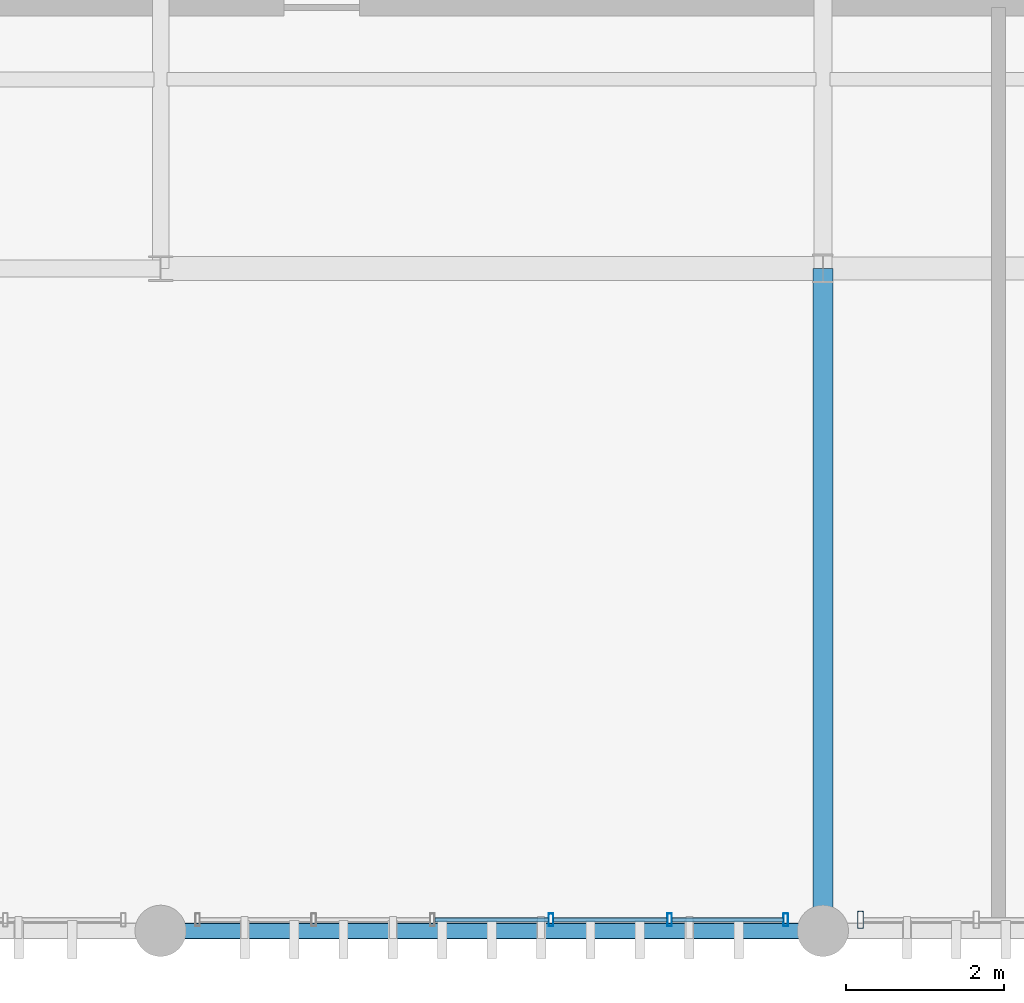
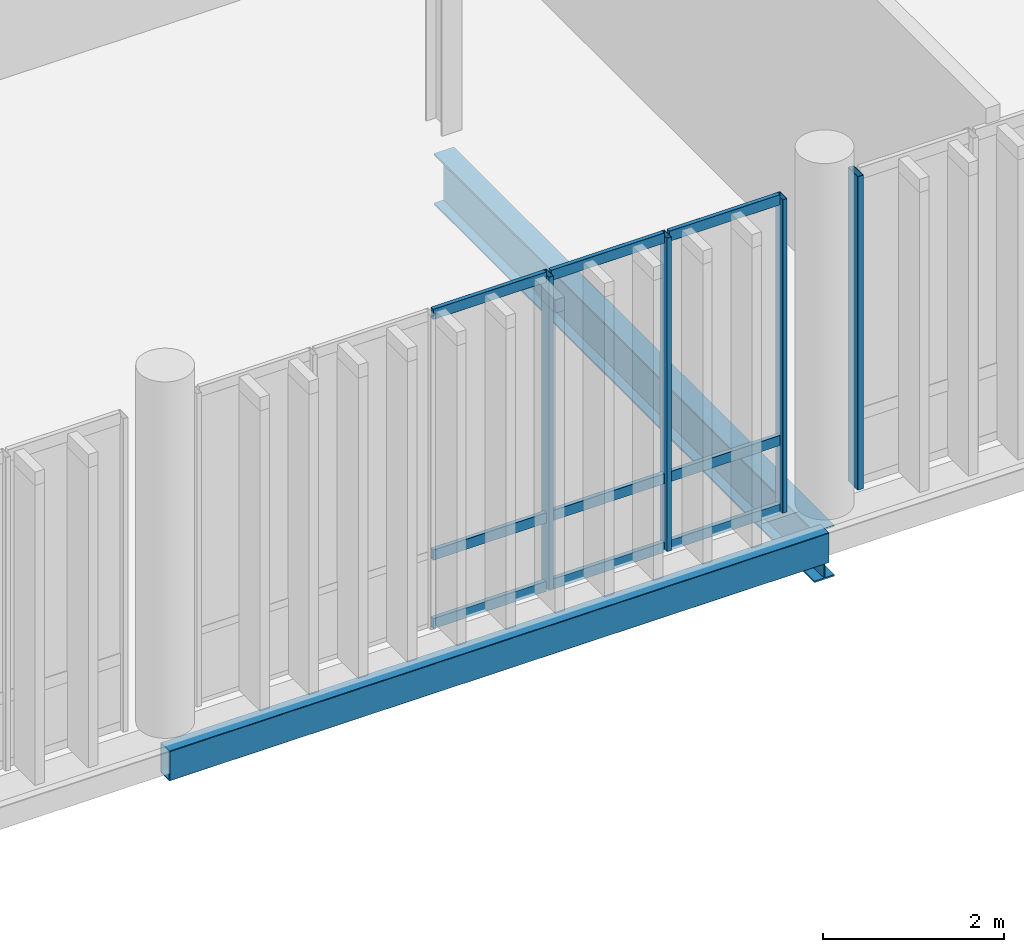
# One storey, part 8 of 86: 13 members, 2 beams, 2 elements without a shape of their own.
"""IFC4 building model written with IfcOpenShell, lengths in metres."""

from ifc_helpers import new_model, si_unit, direction, frame, origin_with_axes, origin_2d_with_axis, place, context, subcontext, project, spatial, hollow_rectangle, i_section, extrude, material, material_profile, profile_set, type_object, element, aggregate, save


model = new_model("IFC4")

# Units and contexts
model_context = context("Model", 3, precision=1e-05, world=origin_with_axes(), true_north=direction((0.0, 1.0)))
body_context = subcontext(model_context, "Body", "Model", "MODEL_VIEW")
ifc_project = project(units=[si_unit("LENGTHUNIT", "METRE"), si_unit("AREAUNIT", "SQUARE_METRE"), si_unit("VOLUMEUNIT", "CUBIC_METRE"), si_unit("PLANEANGLEUNIT", "RADIAN"), si_unit("MASSUNIT", "GRAM", prefix="KILO"), si_unit("THERMODYNAMICTEMPERATUREUNIT", "KELVIN")], contexts=[model_context])

# Site, building, storey
site_placement = place(None, origin_with_axes())
site = spatial("IfcSite", under=ifc_project, at=site_placement, CompositionType="ELEMENT")
building_placement = place(site_placement, origin_with_axes())
building = spatial("IfcBuilding", under=site, at=building_placement, Name="Montbau Bow Law Courts", CompositionType="ELEMENT")
storey_placement = place(building_placement, frame((0.0, 0.0, 29.7), z_axis=(0.0, 0.0, 1.0), x_axis=(1.0, 0.0, 0.0)))
storey = spatial("IfcBuildingStorey", under=building, at=storey_placement, Name="L06", CompositionType="ELEMENT", Elevation=29.7)

# Beams
ifc_material_1 = material(Name="Steel CSA G40.21 Grade 350W (350 MPa)", Category="steel")
ifc_material_profile_1 = material_profile(ifc_material_1, i_section(OverallWidth=0.254, OverallDepth=0.688, WebThickness=0.0131, FlangeThickness=0.0211, at=origin_2d_with_axis()), Name="W690X152", Category="Main", Priority=0)
ifc_profile_set_1 = profile_set([ifc_material_profile_1], Name="Steel CSA G40.21 Grade 350W (350 MPa)")
beam_type_1 = type_object("IfcBeamType", Name="B-FLR-04", PredefinedType="BEAM", material=ifc_profile_set_1)
beam_1_placement = place(None, frame((22.2, 30.6, 29.016), z_axis=(0.0, 1.0, 0.0), x_axis=(-1.0, 0.0, 0.0)))
element("IfcBeam", 1, at=beam_1_placement, inside=storey, type_object=beam_type_1, Name="BM-L06-S0698:bm2_0701", PredefinedType="BEAM", context=body_context, shape_type="SweptSolid", body=[
    extrude(i_section(OverallWidth=0.254, OverallDepth=0.688, WebThickness=0.0131, FlangeThickness=0.0211, at=origin_2d_with_axis()), origin_with_axes(), (0.0, 0.0, 1.0), 8.4),
])
ifc_material_2 = material(Name="Steel CSA G40.21 Grade 350WT (350 MPa)", Category="steel")
ifc_material_profile_2 = material_profile(ifc_material_2, hollow_rectangle(XDim=0.203, YDim=0.406, WallThickness=0.0127, InnerFilletRadius=0.0254, OuterFilletRadius=0.0127, at=origin_2d_with_axis()), Name="HSS406X203X13", Category="Main", Priority=0)
ifc_profile_set_2 = profile_set([ifc_material_profile_2], Name="Steel CSA G40.21 Grade 350WT (350 MPa)")
beam_type_2 = type_object("IfcBeamType", Name="B-SPN-01", PredefinedType="SPANDREL", material=ifc_profile_set_2)
beam_2_placement = place(None, frame((13.8, 30.6, 29.157), z_axis=(1.0, 0.0, 0.0), x_axis=(0.0, 1.0, 0.0)))
element("IfcBeam", 2, at=beam_2_placement, inside=storey, type_object=beam_type_2, Name="SPN-L06-S0667:bm2_0670", PredefinedType="SPANDREL", context=body_context, shape_type="SweptSolid", body=[
    extrude(hollow_rectangle(XDim=0.203, YDim=0.406, WallThickness=0.0127, InnerFilletRadius=0.0254, OuterFilletRadius=0.0127, at=origin_2d_with_axis()), origin_with_axes(), (0.0, 0.0, 1.0), 8.4),
])

# Curtain wall, member
ifc_material_3 = material(Name="Thermally Broken Extruded Aluminium AA 6063-T6", Category="aluminium")
curtain_wall_type = type_object("IfcCurtainWallType", Name="CW-TRC-02", PredefinedType="NOTDEFINED", material=ifc_material_3)
curtain_wall_1_placement = place(None, frame((22.64, 30.74, 29.7), z_axis=(0.0, 0.0, 1.0), x_axis=(1.0, 0.0, 0.0)))
curtain_wall_1 = element("IfcCurtainWall", 3, at=curtain_wall_1_placement, inside=storey, type_object=curtain_wall_type, Name="CW-L06-096:cw_0096", PredefinedType="NOTDEFINED")
ifc_material_profile_3 = material_profile(ifc_material_3, hollow_rectangle(XDim=0.075, YDim=0.22, WallThickness=0.005, InnerFilletRadius=0.01, OuterFilletRadius=0.005, at=origin_2d_with_axis()), Name="CWM-220X75", Category="Main", Priority=0)
ifc_profile_set_3 = profile_set([ifc_material_profile_3], Name="Thermally Broken Extruded Aluminium AA 6063-T6")
member_type_1 = type_object("IfcMemberType", Name="M-MUL-01", PredefinedType="MULLION", material=ifc_profile_set_3)
member_1_placement = place(None, frame((22.677, 30.74, 29.7), z_axis=(0.0, 0.0, 1.0), x_axis=(1.0, 0.0, 0.0)))
member_1 = element("IfcMember", 4, at=member_1_placement, type_object=member_type_1, Name="CW-L06-096-M01:cw_0096_M01", PredefinedType="MULLION", context=body_context, shape_type="SweptSolid", body=[
    extrude(hollow_rectangle(XDim=0.075, YDim=0.22, WallThickness=0.005, InnerFilletRadius=0.01, OuterFilletRadius=0.005, at=origin_2d_with_axis()), origin_with_axes(), (0.0, 0.0, 1.0), 4.22),
])
aggregate(curtain_wall_1, [member_1])

# Curtain wall, members
curtain_wall_2_placement = place(None, frame((14.24, 30.74, 29.7), z_axis=(0.0, 0.0, 1.0), x_axis=(1.0, 0.0, 0.0)))
curtain_wall_2 = element("IfcCurtainWall", 5, at=curtain_wall_2_placement, inside=storey, type_object=curtain_wall_type, Name="CW-L06-095:cw_0095", PredefinedType="NOTDEFINED")
ifc_material_profile_4 = material_profile(ifc_material_3, hollow_rectangle(XDim=0.06, YDim=0.16, WallThickness=0.004, InnerFilletRadius=0.008, OuterFilletRadius=0.004, at=origin_2d_with_axis()), Name="CWM-160X60", Category="Main", Priority=0)
ifc_profile_set_4 = profile_set([ifc_material_profile_4], Name="Thermally Broken Extruded Aluminium AA 6063-T6")
member_type_2 = type_object("IfcMemberType", Name="M-MUL-03", PredefinedType="MULLION", material=ifc_profile_set_4)
member_2_placement = place(None, frame((18.752, 30.74, 29.7), z_axis=(0.0, 0.0, 1.0), x_axis=(1.0, 0.0, 0.0)))
member_2 = element("IfcMember", 6, at=member_2_placement, type_object=member_type_2, Name="CW-L06-095-M04:cw_0095_M04", PredefinedType="MULLION", context=body_context, shape_type="SweptSolid", body=[
    extrude(hollow_rectangle(XDim=0.06, YDim=0.16, WallThickness=0.004, InnerFilletRadius=0.008, OuterFilletRadius=0.004, at=origin_2d_with_axis()), origin_with_axes(), (0.0, 0.0, 1.0), 4.22),
])
member_3_placement = place(None, frame((20.256, 30.74, 29.7), z_axis=(0.0, 0.0, 1.0), x_axis=(1.0, 0.0, 0.0)))
member_3 = element("IfcMember", 7, at=member_3_placement, type_object=member_type_2, Name="CW-L06-095-M05:cw_0095_M05", PredefinedType="MULLION", context=body_context, shape_type="SweptSolid", body=[
    extrude(hollow_rectangle(XDim=0.06, YDim=0.16, WallThickness=0.004, InnerFilletRadius=0.008, OuterFilletRadius=0.004, at=origin_2d_with_axis()), origin_with_axes(), (0.0, 0.0, 1.0), 4.22),
])
member_4_placement = place(None, frame((21.73, 30.74, 29.7), z_axis=(0.0, 0.0, 1.0), x_axis=(1.0, 0.0, 0.0)))
member_4 = element("IfcMember", 8, at=member_4_placement, type_object=member_type_2, Name="CW-L06-095-M06:cw_0095_M06", PredefinedType="MULLION", context=body_context, shape_type="SweptSolid", body=[
    extrude(hollow_rectangle(XDim=0.06, YDim=0.16, WallThickness=0.004, InnerFilletRadius=0.008, OuterFilletRadius=0.004, at=origin_2d_with_axis()), origin_with_axes(), (0.0, 0.0, 1.0), 4.22),
])
ifc_material_profile_5 = material_profile(ifc_material_3, hollow_rectangle(XDim=0.055, YDim=0.14, WallThickness=0.004, InnerFilletRadius=0.008, OuterFilletRadius=0.004, at=origin_2d_with_axis()), Name="CWT-140X55", Category="Main", Priority=0)
ifc_profile_set_5 = profile_set([ifc_material_profile_5], Name="Thermally Broken Extruded Aluminium AA 6063-T6")
member_type_3 = type_object("IfcMemberType", Name="M-TRN-02", PredefinedType="USERDEFINED", material=ifc_profile_set_5)
member_5_placement = place(None, frame((17.28, 30.74, 29.727), z_axis=(1.0, 0.0, 0.0), x_axis=(0.0, 1.0, 0.0)))
member_5 = element("IfcMember", 9, at=member_5_placement, type_object=member_type_3, Name="CW-L06-095-T03-1:cw_0095_T03_1", ObjectType="TRANSOM", PredefinedType="USERDEFINED", context=body_context, shape_type="SweptSolid", body=[
    extrude(hollow_rectangle(XDim=0.055, YDim=0.14, WallThickness=0.004, InnerFilletRadius=0.008, OuterFilletRadius=0.004, at=origin_2d_with_axis()), origin_with_axes(), (0.0, 0.0, 1.0), 1.44),
])
member_6_placement = place(None, frame((17.28, 30.74, 30.65), z_axis=(1.0, 0.0, 0.0), x_axis=(0.0, 1.0, 0.0)))
member_6 = element("IfcMember", 10, at=member_6_placement, type_object=member_type_3, Name="CW-L06-095-T03-2:cw_0095_T03_2", ObjectType="TRANSOM", PredefinedType="USERDEFINED", context=body_context, shape_type="SweptSolid", body=[
    extrude(hollow_rectangle(XDim=0.055, YDim=0.14, WallThickness=0.004, InnerFilletRadius=0.008, OuterFilletRadius=0.004, at=origin_2d_with_axis()), origin_with_axes(), (0.0, 0.0, 1.0), 1.44),
])
member_7_placement = place(None, frame((17.28, 30.74, 33.892), z_axis=(1.0, 0.0, 0.0), x_axis=(0.0, 1.0, 0.0)))
member_7 = element("IfcMember", 11, at=member_7_placement, type_object=member_type_3, Name="CW-L06-095-T03-3:cw_0095_T03_3", ObjectType="TRANSOM", PredefinedType="USERDEFINED", context=body_context, shape_type="SweptSolid", body=[
    extrude(hollow_rectangle(XDim=0.055, YDim=0.14, WallThickness=0.004, InnerFilletRadius=0.008, OuterFilletRadius=0.004, at=origin_2d_with_axis()), origin_with_axes(), (0.0, 0.0, 1.0), 1.44),
])
member_8_placement = place(None, frame((18.784, 30.74, 29.727), z_axis=(1.0, 0.0, 0.0), x_axis=(0.0, 1.0, 0.0)))
member_8 = element("IfcMember", 12, at=member_8_placement, type_object=member_type_3, Name="CW-L06-095-T04-1:cw_0095_T04_1", ObjectType="TRANSOM", PredefinedType="USERDEFINED", context=body_context, shape_type="SweptSolid", body=[
    extrude(hollow_rectangle(XDim=0.055, YDim=0.14, WallThickness=0.004, InnerFilletRadius=0.008, OuterFilletRadius=0.004, at=origin_2d_with_axis()), origin_with_axes(), (0.0, 0.0, 1.0), 1.44),
])
member_9_placement = place(None, frame((18.784, 30.74, 30.65), z_axis=(1.0, 0.0, 0.0), x_axis=(0.0, 1.0, 0.0)))
member_9 = element("IfcMember", 13, at=member_9_placement, type_object=member_type_3, Name="CW-L06-095-T04-2:cw_0095_T04_2", ObjectType="TRANSOM", PredefinedType="USERDEFINED", context=body_context, shape_type="SweptSolid", body=[
    extrude(hollow_rectangle(XDim=0.055, YDim=0.14, WallThickness=0.004, InnerFilletRadius=0.008, OuterFilletRadius=0.004, at=origin_2d_with_axis()), origin_with_axes(), (0.0, 0.0, 1.0), 1.44),
])
member_10_placement = place(None, frame((18.784, 30.74, 33.892), z_axis=(1.0, 0.0, 0.0), x_axis=(0.0, 1.0, 0.0)))
member_10 = element("IfcMember", 14, at=member_10_placement, type_object=member_type_3, Name="CW-L06-095-T04-3:cw_0095_T04_3", ObjectType="TRANSOM", PredefinedType="USERDEFINED", context=body_context, shape_type="SweptSolid", body=[
    extrude(hollow_rectangle(XDim=0.055, YDim=0.14, WallThickness=0.004, InnerFilletRadius=0.008, OuterFilletRadius=0.004, at=origin_2d_with_axis()), origin_with_axes(), (0.0, 0.0, 1.0), 1.44),
])
member_11_placement = place(None, frame((20.288, 30.74, 29.727), z_axis=(1.0, 0.0, 0.0), x_axis=(0.0, 1.0, 0.0)))
member_11 = element("IfcMember", 15, at=member_11_placement, type_object=member_type_3, Name="CW-L06-095-T05-1:cw_0095_T05_1", ObjectType="TRANSOM", PredefinedType="USERDEFINED", context=body_context, shape_type="SweptSolid", body=[
    extrude(hollow_rectangle(XDim=0.055, YDim=0.14, WallThickness=0.004, InnerFilletRadius=0.008, OuterFilletRadius=0.004, at=origin_2d_with_axis()), origin_with_axes(), (0.0, 0.0, 1.0), 1.41),
])
member_12_placement = place(None, frame((20.288, 30.74, 30.65), z_axis=(1.0, 0.0, 0.0), x_axis=(0.0, 1.0, 0.0)))
member_12 = element("IfcMember", 16, at=member_12_placement, type_object=member_type_3, Name="CW-L06-095-T05-2:cw_0095_T05_2", ObjectType="TRANSOM", PredefinedType="USERDEFINED", context=body_context, shape_type="SweptSolid", body=[
    extrude(hollow_rectangle(XDim=0.055, YDim=0.14, WallThickness=0.004, InnerFilletRadius=0.008, OuterFilletRadius=0.004, at=origin_2d_with_axis()), origin_with_axes(), (0.0, 0.0, 1.0), 1.41),
])
member_13_placement = place(None, frame((20.288, 30.74, 33.892), z_axis=(1.0, 0.0, 0.0), x_axis=(0.0, 1.0, 0.0)))
member_13 = element("IfcMember", 17, at=member_13_placement, type_object=member_type_3, Name="CW-L06-095-T05-3:cw_0095_T05_3", ObjectType="TRANSOM", PredefinedType="USERDEFINED", context=body_context, shape_type="SweptSolid", body=[
    extrude(hollow_rectangle(XDim=0.055, YDim=0.14, WallThickness=0.004, InnerFilletRadius=0.008, OuterFilletRadius=0.004, at=origin_2d_with_axis()), origin_with_axes(), (0.0, 0.0, 1.0), 1.41),
])
aggregate(curtain_wall_2, [member_2, member_3, member_4, member_5, member_6, member_7, member_8, member_9, member_10, member_11, member_12, member_13])

save(model, "model.ifc")
